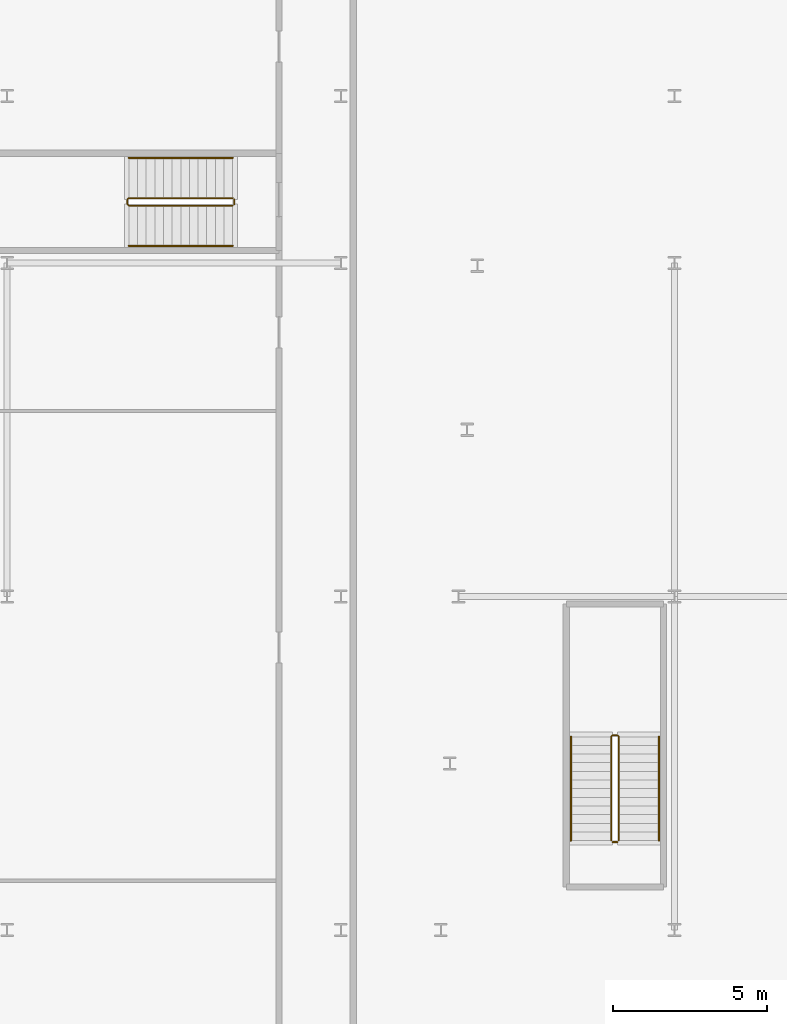
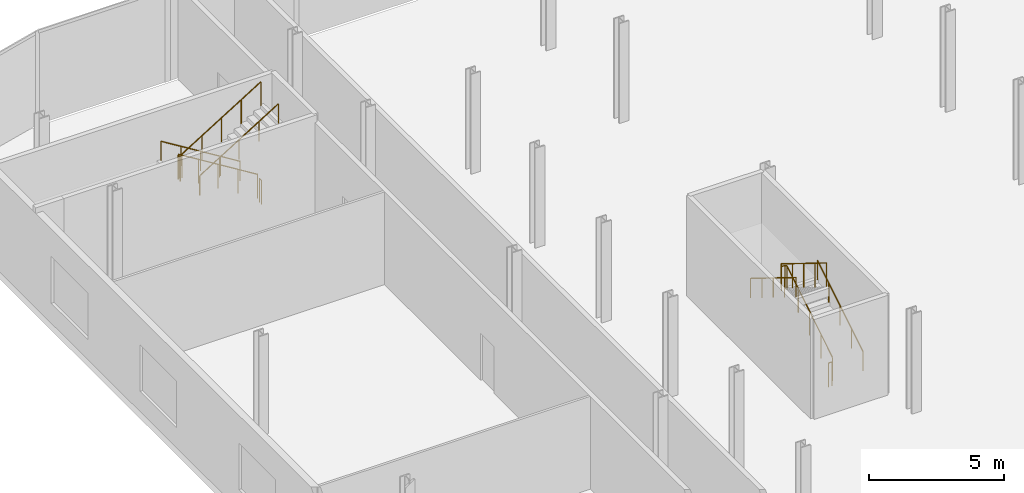
# One storey, part 45 of 47: 8 railings.
"""IFC4 building model written with IfcOpenShell, lengths in metres."""

from ifc_helpers import new_model, si_unit, direction, frame, origin, origin_2d, place, context, subcontext, project, spatial, circle, extrude, material, type_object, element, save


model = new_model("IFC4")

# Units and contexts
model_context = context("Model", 3, precision=1e-05, world=origin(), true_north=direction((0.0, 1.0)))
body_context = subcontext(model_context, "Body", "Model", "MODEL_VIEW")
ifc_project = project(units=[si_unit("LENGTHUNIT", "METRE"), si_unit("AREAUNIT", "SQUARE_METRE"), si_unit("VOLUMEUNIT", "CUBIC_METRE"), si_unit("PLANEANGLEUNIT", "RADIAN"), si_unit("MASSUNIT", "GRAM", prefix="KILO")], contexts=[model_context])

# Site, building, storey
site_placement = place(None, origin())
site = spatial("IfcSite", under=ifc_project, at=site_placement, CompositionType="ELEMENT")
building_placement = place(site_placement, origin())
building = spatial("IfcBuilding", under=site, at=building_placement, Name="Kheshtan School and Residences Tower", CompositionType="ELEMENT")
storey_placement = place(building_placement, frame((0.0, 0.0, 17.0)))
storey = spatial("IfcBuildingStorey", under=building, at=storey_placement, Name="L03", CompositionType="ELEMENT", Elevation=17.0)

# Railings
ifc_material_1 = material(Name="Stainless steel balustrade", Category="steel")
railing_type_1 = type_object("IfcRailingType", Name="Stair guard 1100", PredefinedType="GUARDRAIL", material=ifc_material_1)
railing_1_placement = place(storey_placement, frame((35.0, 80.89990234375, 0.173095703125)))
element("IfcRailing", 1, at=railing_1_placement, inside=storey, type_object=railing_type_1, Name="L03 ST3 stair guard 1", PredefinedType="GUARDRAIL", context=body_context, shape_type="SweptSolid", body=[
    extrude(circle(Radius=0.02392578125, at=origin_2d()), frame((0.0, 0.0, 1.076171875), z_axis=(0.0, 0.850623216509, 0.525775754039), x_axis=(-1.0, 0.0, 0.0)), (0.0, 0.0, 1.0), 3.9501953125),
    extrude(circle(Radius=0.02392578125, at=origin_2d()), frame((0.0, 3.360107421875, 3.15283203125), z_axis=(-0.707106781187, 0.707106781187, 0.0), x_axis=(-0.707106781187, -0.707106781187, 0.0)), (0.0, 0.0, 1.0), 0.07080078125),
    extrude(circle(Radius=0.02392578125, at=origin_2d()), frame((-0.050048828125, 3.41015625, 3.15283203125), z_axis=(-1.0, 0.0, 0.0), x_axis=(0.0, -1.0, 0.0)), (0.0, 0.0, 1.0), 0.14990234375),
    extrude(circle(Radius=0.02392578125, at=origin_2d()), frame((-0.199951171875, 3.41015625, 3.15283203125), z_axis=(-0.267629722418, -0.267629722418, 0.925607186314), x_axis=(0.707106781187, -0.707106781187, 0.0)), (0.0, 0.0, 1.0), 0.18701171875),
    extrude(circle(Radius=0.02392578125, at=origin_2d()), frame((-0.25, 3.360107421875, 3.326171875), z_axis=(0.0, -0.850623216509, 0.525775754039), x_axis=(1.0, 0.0, 0.0)), (0.0, 0.0, 1.0), 3.9501953125),
    extrude(circle(Radius=0.02099609375, at=origin_2d()), origin(), (0.0, 0.0, 1.0), 1.052001953125),
    extrude(circle(Radius=0.02099609375, at=origin_2d()), frame((0.0, 0.840087890625, 0.519287109375)), (0.0, 0.0, 1.0), 1.052001953125),
    extrude(circle(Radius=0.02099609375, at=origin_2d()), frame((0.0, 1.68017578125, 1.03857421875)), (0.0, 0.0, 1.0), 1.052001953125),
    extrude(circle(Radius=0.02099609375, at=origin_2d()), frame((0.0, 2.52001953125, 1.5576171875)), (0.0, 0.0, 1.0), 1.052001953125),
    extrude(circle(Radius=0.02099609375, at=origin_2d()), frame((0.0, 3.360107421875, 2.076904296875)), (0.0, 0.0, 1.0), 1.052001953125),
    extrude(circle(Radius=0.02099609375, at=origin_2d()), frame((-0.050048828125, 3.41015625, 2.076904296875)), (0.0, 0.0, 1.0), 1.052001953125),
    extrude(circle(Radius=0.02099609375, at=origin_2d()), frame((-0.199951171875, 3.41015625, 2.076904296875)), (0.0, 0.0, 1.0), 1.052001953125),
    extrude(circle(Radius=0.02099609375, at=origin_2d()), frame((-0.25, 3.360107421875, 2.25)), (0.0, 0.0, 1.0), 1.052001953125),
    extrude(circle(Radius=0.02099609375, at=origin_2d()), frame((-0.25, 2.52001953125, 2.769287109375)), (0.0, 0.0, 1.0), 1.052001953125),
    extrude(circle(Radius=0.02099609375, at=origin_2d()), frame((-0.25, 1.68017578125, 3.28857421875)), (0.0, 0.0, 1.0), 1.052001953125),
    extrude(circle(Radius=0.02099609375, at=origin_2d()), frame((-0.25, 0.840087890625, 3.8076171875)), (0.0, 0.0, 1.0), 1.052001953125),
    extrude(circle(Radius=0.02099609375, at=origin_2d()), frame((-0.25, 0.0, 4.326904296875)), (0.0, 0.0, 1.0), 1.052001953125),
])
railing_2_placement = place(storey_placement, frame((34.949951171875, 80.85009765625, 0.0)))
element("IfcRailing", 2, at=railing_2_placement, inside=storey, type_object=railing_type_1, Name="L03 ST3 stair guard 2", PredefinedType="GUARDRAIL", context=body_context, shape_type="SweptSolid", body=[
    extrude(circle(Radius=0.02392578125, at=origin_2d()), frame((0.0, 0.0, 1.076171875), z_axis=(-1.0, 0.0, 0.0), x_axis=(0.0, -1.0, 0.0)), (0.0, 0.0, 1.0), 0.14990234375),
    extrude(circle(Radius=0.02099609375, at=origin_2d()), origin(), (0.0, 0.0, 1.0), 1.052001953125),
    extrude(circle(Radius=0.02099609375, at=origin_2d()), frame((-0.14990234375, 0.0, 0.0)), (0.0, 0.0, 1.0), 1.052001953125),
])
railing_3_placement = place(storey_placement, frame((22.5, 101.699951171875, 0.173095703125)))
element("IfcRailing", 3, at=railing_3_placement, inside=storey, type_object=railing_type_1, Name="L03 PS-012-100 stair guard 1", PredefinedType="GUARDRAIL", context=body_context, shape_type="SweptSolid", body=[
    extrude(circle(Radius=0.02392578125, at=origin_2d()), frame((0.0, 0.0, 1.076171875), z_axis=(-0.850623216509, 0.0, 0.525775754039), x_axis=(0.0, -1.0, 0.0)), (0.0, 0.0, 1.0), 3.9501953125),
    extrude(circle(Radius=0.02392578125, at=origin_2d()), frame((-3.360107421875, 0.0, 3.15283203125), z_axis=(-0.705375805398, -0.708833529934, 0.0), x_axis=(0.708833529934, -0.705375805398, 0.0)), (0.0, 0.0, 1.0), 0.070556640625),
    extrude(circle(Radius=0.02392578125, at=origin_2d()), frame((-3.409912109375, -0.050048828125, 3.15283203125), z_axis=(0.0, -1.0, 0.0), x_axis=(1.0, 0.0, 0.0)), (0.0, 0.0, 1.0), 0.14990234375),
    extrude(circle(Radius=0.02392578125, at=origin_2d()), frame((-3.409912109375, -0.199951171875, 3.15283203125), z_axis=(0.266417085129, -0.267723051232, 0.925929967433), x_axis=(0.708833529934, 0.705375805398, 0.0)), (0.0, 0.0, 1.0), 0.18701171875),
    extrude(circle(Radius=0.02392578125, at=origin_2d()), frame((-3.360107421875, -0.25, 3.326171875), z_axis=(0.850623216509, 0.0, 0.525775754039), x_axis=(0.0, 1.0, 0.0)), (0.0, 0.0, 1.0), 3.9501953125),
    extrude(circle(Radius=0.02099609375, at=origin_2d()), origin(), (0.0, 0.0, 1.0), 1.052001953125),
    extrude(circle(Radius=0.02099609375, at=origin_2d()), frame((-0.840087890625, 0.0, 0.519287109375)), (0.0, 0.0, 1.0), 1.052001953125),
    extrude(circle(Radius=0.02099609375, at=origin_2d()), frame((-1.68017578125, 0.0, 1.03857421875)), (0.0, 0.0, 1.0), 1.052001953125),
    extrude(circle(Radius=0.02099609375, at=origin_2d()), frame((-2.52001953125, 0.0, 1.5576171875)), (0.0, 0.0, 1.0), 1.052001953125),
    extrude(circle(Radius=0.02099609375, at=origin_2d()), frame((-3.360107421875, 0.0, 2.076904296875)), (0.0, 0.0, 1.0), 1.052001953125),
    extrude(circle(Radius=0.02099609375, at=origin_2d()), frame((-3.409912109375, -0.050048828125, 2.076904296875)), (0.0, 0.0, 1.0), 1.052001953125),
    extrude(circle(Radius=0.02099609375, at=origin_2d()), frame((-3.409912109375, -0.199951171875, 2.076904296875)), (0.0, 0.0, 1.0), 1.052001953125),
    extrude(circle(Radius=0.02099609375, at=origin_2d()), frame((-3.360107421875, -0.25, 2.25)), (0.0, 0.0, 1.0), 1.052001953125),
    extrude(circle(Radius=0.02099609375, at=origin_2d()), frame((-2.52001953125, -0.25, 2.769287109375)), (0.0, 0.0, 1.0), 1.052001953125),
    extrude(circle(Radius=0.02099609375, at=origin_2d()), frame((-1.68017578125, -0.25, 3.28857421875)), (0.0, 0.0, 1.0), 1.052001953125),
    extrude(circle(Radius=0.02099609375, at=origin_2d()), frame((-0.840087890625, -0.25, 3.8076171875)), (0.0, 0.0, 1.0), 1.052001953125),
    extrude(circle(Radius=0.02099609375, at=origin_2d()), frame((0.0, -0.25, 4.326904296875)), (0.0, 0.0, 1.0), 1.052001953125),
])
railing_4_placement = place(storey_placement, frame((22.550048828125, 101.64990234375, 0.0)))
element("IfcRailing", 4, at=railing_4_placement, inside=storey, type_object=railing_type_1, Name="L03 PS-012-100 stair guard 2", PredefinedType="GUARDRAIL", context=body_context, shape_type="SweptSolid", body=[
    extrude(circle(Radius=0.02392578125, at=origin_2d()), frame((0.0, 0.0, 1.076171875), z_axis=(0.0, -1.0, 0.0), x_axis=(1.0, 0.0, 0.0)), (0.0, 0.0, 1.0), 0.14990234375),
    extrude(circle(Radius=0.02099609375, at=origin_2d()), origin(), (0.0, 0.0, 1.0), 1.052001953125),
    extrude(circle(Radius=0.02099609375, at=origin_2d()), frame((0.0, -0.14990234375, 0.0)), (0.0, 0.0, 1.0), 1.052001953125),
])
ifc_material_2 = material(Name="Stainless steel handrail", Category="steel")
railing_type_2 = type_object("IfcRailingType", Name="Stair handrail 900", PredefinedType="HANDRAIL", material=ifc_material_2)
railing_5_placement = place(storey_placement, frame((36.300048828125, 80.89990234375, 0.173095703125)))
element("IfcRailing", 5, at=railing_5_placement, inside=storey, type_object=railing_type_2, Name="L03 ST3 stair handrail 1", PredefinedType="HANDRAIL", context=body_context, shape_type="SweptSolid", body=[
    extrude(circle(Radius=0.02392578125, at=origin_2d()), frame((0.0, 0.0, 0.8759765625), z_axis=(0.0, 0.850623216509, 0.525775754039), x_axis=(-1.0, 0.0, 0.0)), (0.0, 0.0, 1.0), 3.9501953125),
    extrude(circle(Radius=0.02099609375, at=origin_2d()), origin(), (0.0, 0.0, 1.0), 0.851806640625),
    extrude(circle(Radius=0.02099609375, at=origin_2d()), frame((0.0, 0.840087890625, 0.519287109375)), (0.0, 0.0, 1.0), 0.851806640625),
    extrude(circle(Radius=0.02099609375, at=origin_2d()), frame((0.0, 1.68017578125, 1.03857421875)), (0.0, 0.0, 1.0), 0.851806640625),
    extrude(circle(Radius=0.02099609375, at=origin_2d()), frame((0.0, 2.52001953125, 1.5576171875)), (0.0, 0.0, 1.0), 0.851806640625),
    extrude(circle(Radius=0.02099609375, at=origin_2d()), frame((0.0, 3.360107421875, 2.076904296875)), (0.0, 0.0, 1.0), 0.851806640625),
])
railing_6_placement = place(storey_placement, frame((33.449951171875, 84.260009765625, 2.423095703125)))
element("IfcRailing", 6, at=railing_6_placement, inside=storey, type_object=railing_type_2, Name="L03 ST3 stair handrail 2", PredefinedType="HANDRAIL", context=body_context, shape_type="SweptSolid", body=[
    extrude(circle(Radius=0.02392578125, at=origin_2d()), frame((0.0, 0.0, 0.8759765625), z_axis=(0.0, -0.850623216509, 0.525775754039), x_axis=(1.0, 0.0, 0.0)), (0.0, 0.0, 1.0), 3.9501953125),
    extrude(circle(Radius=0.02099609375, at=origin_2d()), origin(), (0.0, 0.0, 1.0), 0.851806640625),
    extrude(circle(Radius=0.02099609375, at=origin_2d()), frame((0.0, -0.840087890625, 0.519287109375)), (0.0, 0.0, 1.0), 0.851806640625),
    extrude(circle(Radius=0.02099609375, at=origin_2d()), frame((0.0, -1.68017578125, 1.03857421875)), (0.0, 0.0, 1.0), 0.851806640625),
    extrude(circle(Radius=0.02099609375, at=origin_2d()), frame((0.0, -2.52001953125, 1.5576171875)), (0.0, 0.0, 1.0), 0.851806640625),
    extrude(circle(Radius=0.02099609375, at=origin_2d()), frame((0.0, -3.360107421875, 2.076904296875)), (0.0, 0.0, 1.0), 0.851806640625),
])
railing_7_placement = place(storey_placement, frame((22.5, 103.0, 0.173095703125)))
element("IfcRailing", 7, at=railing_7_placement, inside=storey, type_object=railing_type_2, Name="L03 PS-012-100 stair handrail 1", PredefinedType="HANDRAIL", context=body_context, shape_type="SweptSolid", body=[
    extrude(circle(Radius=0.02392578125, at=origin_2d()), frame((0.0, 0.0, 0.8759765625), z_axis=(-0.850623216509, 0.0, 0.525775754039), x_axis=(0.0, -1.0, 0.0)), (0.0, 0.0, 1.0), 3.9501953125),
    extrude(circle(Radius=0.02099609375, at=origin_2d()), origin(), (0.0, 0.0, 1.0), 0.851806640625),
    extrude(circle(Radius=0.02099609375, at=origin_2d()), frame((-0.840087890625, 0.0, 0.519287109375)), (0.0, 0.0, 1.0), 0.851806640625),
    extrude(circle(Radius=0.02099609375, at=origin_2d()), frame((-1.68017578125, 0.0, 1.03857421875)), (0.0, 0.0, 1.0), 0.851806640625),
    extrude(circle(Radius=0.02099609375, at=origin_2d()), frame((-2.52001953125, 0.0, 1.5576171875)), (0.0, 0.0, 1.0), 0.851806640625),
    extrude(circle(Radius=0.02099609375, at=origin_2d()), frame((-3.360107421875, 0.0, 2.076904296875)), (0.0, 0.0, 1.0), 0.851806640625),
])
railing_8_placement = place(storey_placement, frame((19.139892578125, 100.14990234375, 2.423095703125)))
element("IfcRailing", 8, at=railing_8_placement, inside=storey, type_object=railing_type_2, Name="L03 PS-012-100 stair handrail 2", PredefinedType="HANDRAIL", context=body_context, shape_type="SweptSolid", body=[
    extrude(circle(Radius=0.02392578125, at=origin_2d()), frame((0.0, 0.0, 0.8759765625), z_axis=(0.850623216509, 0.0, 0.525775754039), x_axis=(0.0, 1.0, 0.0)), (0.0, 0.0, 1.0), 3.9501953125),
    extrude(circle(Radius=0.02099609375, at=origin_2d()), origin(), (0.0, 0.0, 1.0), 0.851806640625),
    extrude(circle(Radius=0.02099609375, at=origin_2d()), frame((0.840087890625, 0.0, 0.519287109375)), (0.0, 0.0, 1.0), 0.851806640625),
    extrude(circle(Radius=0.02099609375, at=origin_2d()), frame((1.68017578125, 0.0, 1.03857421875)), (0.0, 0.0, 1.0), 0.851806640625),
    extrude(circle(Radius=0.02099609375, at=origin_2d()), frame((2.52001953125, 0.0, 1.5576171875)), (0.0, 0.0, 1.0), 0.851806640625),
    extrude(circle(Radius=0.02099609375, at=origin_2d()), frame((3.360107421875, 0.0, 2.076904296875)), (0.0, 0.0, 1.0), 0.851806640625),
])

save(model, "model.ifc")
